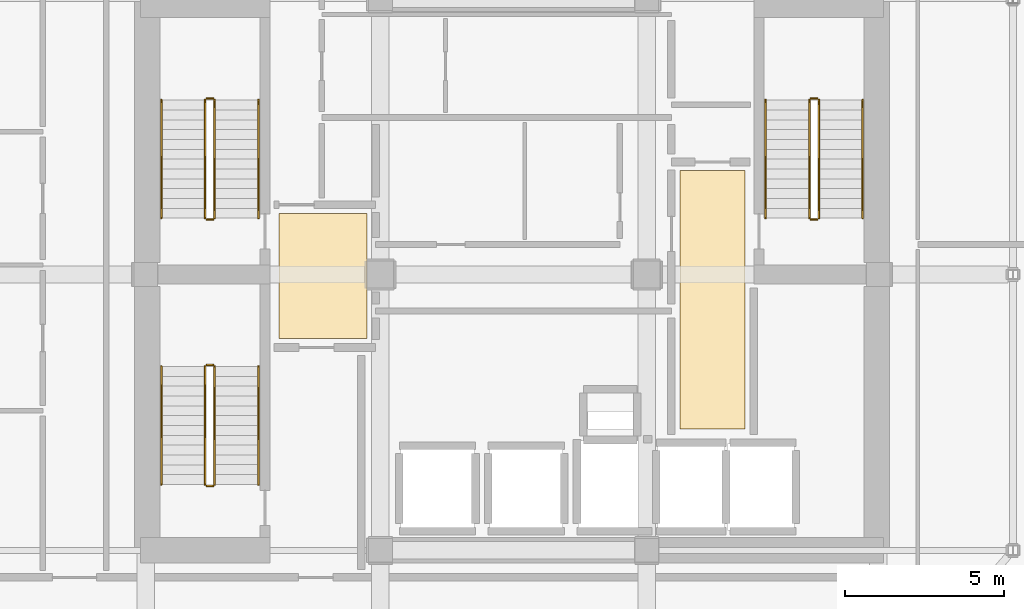
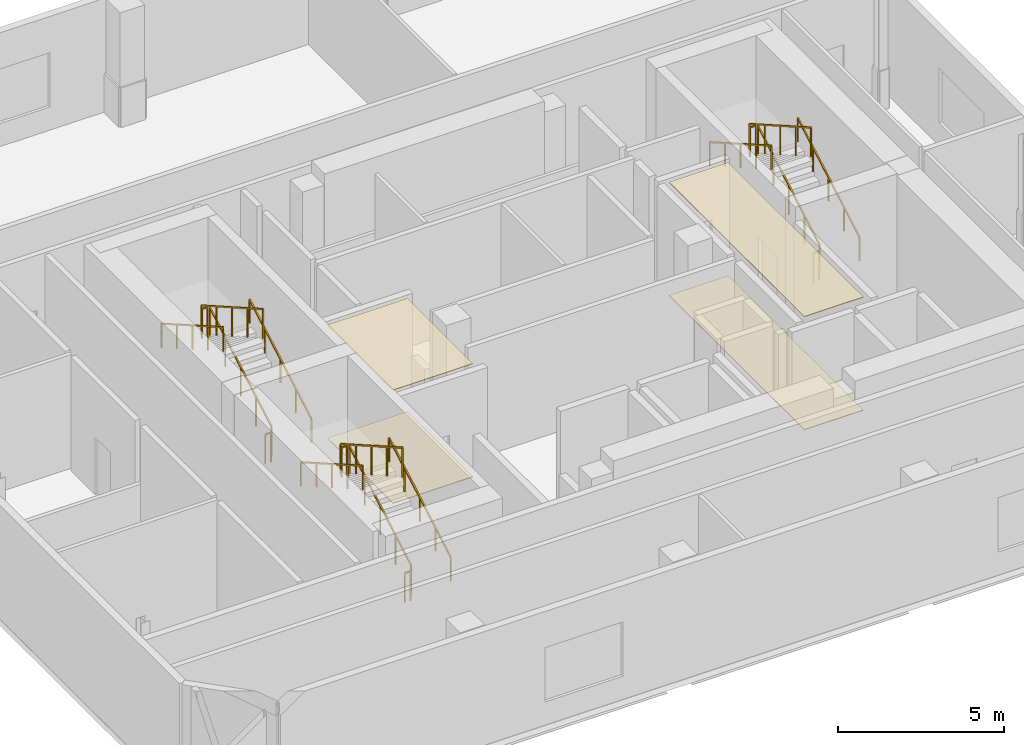
# One storey, part 9 of 9: 18 railings, 4 coverings.
"""IFC4 building model written with IfcOpenShell, lengths in metres."""

from ifc_helpers import new_model, si_unit, direction, frame, origin, origin_2d, place, context, subcontext, project, spatial, polyline, rectangle, outline, extrude, material, layer, layer_set, type_object, element, save


model = new_model("IFC4")

# Units and contexts
model_context = context("Model", 3, precision=1e-05, world=origin(), true_north=direction((0.0, 1.0)))
body_context = subcontext(model_context, "Body", "Model", "MODEL_VIEW")
ifc_project = project(units=[si_unit("LENGTHUNIT", "METRE"), si_unit("AREAUNIT", "SQUARE_METRE"), si_unit("VOLUMEUNIT", "CUBIC_METRE"), si_unit("PLANEANGLEUNIT", "RADIAN"), si_unit("MASSUNIT", "GRAM", prefix="KILO")], contexts=[model_context])

# Site, building, storey
site_placement = place(None, origin())
site = spatial("IfcSite", under=ifc_project, at=site_placement, CompositionType="ELEMENT")
building_placement = place(site_placement, origin())
building = spatial("IfcBuilding", under=site, at=building_placement, Name="Solanera Arch Residences", CompositionType="ELEMENT")
storey_placement = place(building_placement, frame((0.0, 0.0, 273.47998046875)))
storey = spatial("IfcBuildingStorey", under=building, at=storey_placement, Name="L79", CompositionType="ELEMENT", Elevation=273.47998046875)

# Coverings
ifc_material_1 = material(Name="Porcelain Acoustic Floor Tile", Category="ceramic")
ifc_layer_1 = layer(ifc_material_1, 0.02001953125)
ifc_layer_set_1 = layer_set([ifc_layer_1], Name="Porcelain Acoustic Floor Tile")
covering_type_1 = type_object("IfcCoveringType", Name="Porcelain Acoustic Floor Finish FLR-20", PredefinedType="FLOORING", material=ifc_layer_set_1)
covering_1_placement = place(storey_placement, origin())
element("IfcCovering", 1, at=covering_1_placement, inside=storey, type_object=covering_type_1, Name="L79-FFL-W Porcelain Floor Finish", PredefinedType="FLOORING", context=body_context, shape_type="SweptSolid", body=[
    extrude(outline(polyline([(20.375, 28.675048828125), (17.594970703125, 28.675048828125), (17.594970703125, 32.625), (20.375, 32.625), (20.375, 28.675048828125)])), origin(), (0.0, 0.0, 1.0), 0.02001953125),
])
covering_2_placement = place(storey_placement, origin())
element("IfcCovering", 2, at=covering_2_placement, inside=storey, type_object=covering_type_1, Name="L79-FFL-E Porcelain Floor Finish", PredefinedType="FLOORING", context=body_context, shape_type="SweptSolid", body=[
    extrude(outline(polyline([(32.304931640625, 25.824951171875), (30.25, 25.824951171875), (30.25, 33.97509765625), (32.304931640625, 33.97509765625), (32.304931640625, 25.824951171875)])), origin(), (0.0, 0.0, 1.0), 0.02001953125),
])

# Railings
ifc_material_2 = material(Name="Steel S355 (ASTM A992 / A572 Grade 50)", Category="steel")
railing_type_1 = type_object("IfcRailingType", Name="Stair Guardrail GR-1100", PredefinedType="GUARDRAIL", material=ifc_material_2)
railing_1_placement = place(storey_placement, frame((15.570068359375, 32.47998046875, 0.161865234375)))
element("IfcRailing", 3, at=railing_1_placement, inside=storey, type_object=railing_type_1, Name="L79 ST-T1 stair guard 1", PredefinedType="GUARDRAIL", context=body_context, shape_type="SweptSolid", body=[
    extrude(rectangle(XDim=0.048095703125, YDim=0.048095703125, at=origin_2d()), frame((0.0, 0.0, 1.076171875), z_axis=(0.0, 0.868509601589, 0.495672343336), x_axis=(-1.0, 0.0, 0.0)), (0.0, 0.0, 1.0), 4.283203125),
    extrude(rectangle(XDim=0.0419921875, YDim=0.0419921875, at=origin_2d()), origin(), (0.0, 0.0, 1.0), 1.052001953125),
    extrude(rectangle(XDim=0.0419921875, YDim=0.0419921875, at=origin_2d()), frame((0.0, 0.929931640625, 0.53076171875)), (0.0, 0.0, 1.0), 1.052001953125),
    extrude(rectangle(XDim=0.0419921875, YDim=0.0419921875, at=origin_2d()), frame((0.0, 1.85986328125, 1.0615234375)), (0.0, 0.0, 1.0), 1.052001953125),
    extrude(rectangle(XDim=0.0419921875, YDim=0.0419921875, at=origin_2d()), frame((0.0, 2.7900390625, 1.59228515625)), (0.0, 0.0, 1.0), 1.052001953125),
    extrude(rectangle(XDim=0.0419921875, YDim=0.0419921875, at=origin_2d()), frame((0.0, 3.719970703125, 2.123046875)), (0.0, 0.0, 1.0), 1.052001953125),
])
railing_2_placement = place(storey_placement, frame((15.52001953125, 36.25, 2.284912109375)))
element("IfcRailing", 4, at=railing_2_placement, inside=storey, type_object=railing_type_1, Name="L79 ST-T1 stair guard 2", PredefinedType="GUARDRAIL", context=body_context, shape_type="SweptSolid", body=[
    extrude(rectangle(XDim=0.048095703125, YDim=0.048095703125, at=origin_2d()), frame((0.0, 0.0, 1.076171875), z_axis=(-1.0, 0.0, 0.0), x_axis=(0.0, -1.0, 0.0)), (0.0, 0.0, 1.0), 0.199951171875),
    extrude(rectangle(XDim=0.0419921875, YDim=0.0419921875, at=origin_2d()), origin(), (0.0, 0.0, 1.0), 1.052001953125),
    extrude(rectangle(XDim=0.0419921875, YDim=0.0419921875, at=origin_2d()), frame((-0.199951171875, 0.0, 0.0)), (0.0, 0.0, 1.0), 1.052001953125),
])
railing_3_placement = place(storey_placement, frame((15.27001953125, 36.199951171875, 2.4619140625)))
element("IfcRailing", 5, at=railing_3_placement, inside=storey, type_object=railing_type_1, Name="L79 ST-T1 stair guard 3", PredefinedType="GUARDRAIL", context=body_context, shape_type="SweptSolid", body=[
    extrude(rectangle(XDim=0.048095703125, YDim=0.048095703125, at=origin_2d()), frame((0.0, 0.0, 1.076171875), z_axis=(0.0, -0.868509601589, 0.495672343336), x_axis=(1.0, 0.0, 0.0)), (0.0, 0.0, 1.0), 4.283203125),
    extrude(rectangle(XDim=0.0419921875, YDim=0.0419921875, at=origin_2d()), origin(), (0.0, 0.0, 1.0), 1.052001953125),
    extrude(rectangle(XDim=0.0419921875, YDim=0.0419921875, at=origin_2d()), frame((0.0, -0.929931640625, 0.53076171875)), (0.0, 0.0, 1.0), 1.052001953125),
    extrude(rectangle(XDim=0.0419921875, YDim=0.0419921875, at=origin_2d()), frame((0.0, -1.85986328125, 1.0615234375)), (0.0, 0.0, 1.0), 1.052001953125),
    extrude(rectangle(XDim=0.0419921875, YDim=0.0419921875, at=origin_2d()), frame((0.0, -2.7900390625, 1.59228515625)), (0.0, 0.0, 1.0), 1.052001953125),
    extrude(rectangle(XDim=0.0419921875, YDim=0.0419921875, at=origin_2d()), frame((0.0, -3.719970703125, 2.123046875)), (0.0, 0.0, 1.0), 1.052001953125),
])
railing_4_placement = place(storey_placement, frame((15.52001953125, 32.429931640625, -0.014892578125)))
element("IfcRailing", 6, at=railing_4_placement, inside=storey, type_object=railing_type_1, Name="L79 ST-T1 stair guard 4", PredefinedType="GUARDRAIL", context=body_context, shape_type="SweptSolid", body=[
    extrude(rectangle(XDim=0.048095703125, YDim=0.048095703125, at=origin_2d()), frame((0.0, 0.0, 1.076171875), z_axis=(-1.0, 0.0, 0.0), x_axis=(0.0, -1.0, 0.0)), (0.0, 0.0, 1.0), 0.199951171875),
    extrude(rectangle(XDim=0.0419921875, YDim=0.0419921875, at=origin_2d()), origin(), (0.0, 0.0, 1.0), 1.052001953125),
    extrude(rectangle(XDim=0.0419921875, YDim=0.0419921875, at=origin_2d()), frame((-0.199951171875, 0.0, 0.0)), (0.0, 0.0, 1.0), 1.052001953125),
])
railing_5_placement = place(storey_placement, frame((34.6298828125, 32.47998046875, 0.161865234375)))
element("IfcRailing", 7, at=railing_5_placement, inside=storey, type_object=railing_type_1, Name="L79 ST-T2 stair guard 1", PredefinedType="GUARDRAIL", context=body_context, shape_type="SweptSolid", body=[
    extrude(rectangle(XDim=0.048095703125, YDim=0.048095703125, at=origin_2d()), frame((0.0, 0.0, 1.076171875), z_axis=(0.0, 0.868509601589, 0.495672343336), x_axis=(-1.0, 0.0, 0.0)), (0.0, 0.0, 1.0), 4.283203125),
    extrude(rectangle(XDim=0.0419921875, YDim=0.0419921875, at=origin_2d()), origin(), (0.0, 0.0, 1.0), 1.052001953125),
    extrude(rectangle(XDim=0.0419921875, YDim=0.0419921875, at=origin_2d()), frame((0.0, 0.929931640625, 0.53076171875)), (0.0, 0.0, 1.0), 1.052001953125),
    extrude(rectangle(XDim=0.0419921875, YDim=0.0419921875, at=origin_2d()), frame((0.0, 1.85986328125, 1.0615234375)), (0.0, 0.0, 1.0), 1.052001953125),
    extrude(rectangle(XDim=0.0419921875, YDim=0.0419921875, at=origin_2d()), frame((0.0, 2.7900390625, 1.59228515625)), (0.0, 0.0, 1.0), 1.052001953125),
    extrude(rectangle(XDim=0.0419921875, YDim=0.0419921875, at=origin_2d()), frame((0.0, 3.719970703125, 2.123046875)), (0.0, 0.0, 1.0), 1.052001953125),
])
railing_6_placement = place(storey_placement, frame((34.580078125, 36.25, 2.284912109375)))
element("IfcRailing", 8, at=railing_6_placement, inside=storey, type_object=railing_type_1, Name="L79 ST-T2 stair guard 2", PredefinedType="GUARDRAIL", context=body_context, shape_type="SweptSolid", body=[
    extrude(rectangle(XDim=0.048095703125, YDim=0.048095703125, at=origin_2d()), frame((0.0, 0.0, 1.076171875), z_axis=(-1.0, 0.0, 0.0), x_axis=(0.0, -1.0, 0.0)), (0.0, 0.0, 1.0), 0.2001953125),
    extrude(rectangle(XDim=0.0419921875, YDim=0.0419921875, at=origin_2d()), origin(), (0.0, 0.0, 1.0), 1.052001953125),
    extrude(rectangle(XDim=0.0419921875, YDim=0.0419921875, at=origin_2d()), frame((-0.2001953125, 0.0, 0.0)), (0.0, 0.0, 1.0), 1.052001953125),
])
railing_7_placement = place(storey_placement, frame((34.330078125, 36.199951171875, 2.4619140625)))
element("IfcRailing", 9, at=railing_7_placement, inside=storey, type_object=railing_type_1, Name="L79 ST-T2 stair guard 3", PredefinedType="GUARDRAIL", context=body_context, shape_type="SweptSolid", body=[
    extrude(rectangle(XDim=0.048095703125, YDim=0.048095703125, at=origin_2d()), frame((0.0, 0.0, 1.076171875), z_axis=(0.0, -0.868509601589, 0.495672343336), x_axis=(1.0, 0.0, 0.0)), (0.0, 0.0, 1.0), 4.283203125),
    extrude(rectangle(XDim=0.0419921875, YDim=0.0419921875, at=origin_2d()), origin(), (0.0, 0.0, 1.0), 1.052001953125),
    extrude(rectangle(XDim=0.0419921875, YDim=0.0419921875, at=origin_2d()), frame((0.0, -0.929931640625, 0.53076171875)), (0.0, 0.0, 1.0), 1.052001953125),
    extrude(rectangle(XDim=0.0419921875, YDim=0.0419921875, at=origin_2d()), frame((0.0, -1.85986328125, 1.0615234375)), (0.0, 0.0, 1.0), 1.052001953125),
    extrude(rectangle(XDim=0.0419921875, YDim=0.0419921875, at=origin_2d()), frame((0.0, -2.7900390625, 1.59228515625)), (0.0, 0.0, 1.0), 1.052001953125),
    extrude(rectangle(XDim=0.0419921875, YDim=0.0419921875, at=origin_2d()), frame((0.0, -3.719970703125, 2.123046875)), (0.0, 0.0, 1.0), 1.052001953125),
])
railing_8_placement = place(storey_placement, frame((34.580078125, 32.429931640625, -0.014892578125)))
element("IfcRailing", 10, at=railing_8_placement, inside=storey, type_object=railing_type_1, Name="L79 ST-T2 stair guard 4", PredefinedType="GUARDRAIL", context=body_context, shape_type="SweptSolid", body=[
    extrude(rectangle(XDim=0.048095703125, YDim=0.048095703125, at=origin_2d()), frame((0.0, 0.0, 1.076171875), z_axis=(-1.0, 0.0, 0.0), x_axis=(0.0, -1.0, 0.0)), (0.0, 0.0, 1.0), 0.2001953125),
    extrude(rectangle(XDim=0.0419921875, YDim=0.0419921875, at=origin_2d()), origin(), (0.0, 0.0, 1.0), 1.052001953125),
    extrude(rectangle(XDim=0.0419921875, YDim=0.0419921875, at=origin_2d()), frame((-0.2001953125, 0.0, 0.0)), (0.0, 0.0, 1.0), 1.052001953125),
])
railing_9_placement = place(storey_placement, frame((15.570068359375, 24.080078125, 0.161865234375)))
element("IfcRailing", 11, at=railing_9_placement, inside=storey, type_object=railing_type_1, Name="L79 ST-T3 stair guard 1", PredefinedType="GUARDRAIL", context=body_context, shape_type="SweptSolid", body=[
    extrude(rectangle(XDim=0.048095703125, YDim=0.048095703125, at=origin_2d()), frame((0.0, 0.0, 1.076171875), z_axis=(0.0, 0.868509601589, 0.495672343336), x_axis=(-1.0, 0.0, 0.0)), (0.0, 0.0, 1.0), 4.283203125),
    extrude(rectangle(XDim=0.0419921875, YDim=0.0419921875, at=origin_2d()), origin(), (0.0, 0.0, 1.0), 1.052001953125),
    extrude(rectangle(XDim=0.0419921875, YDim=0.0419921875, at=origin_2d()), frame((0.0, 0.929931640625, 0.53076171875)), (0.0, 0.0, 1.0), 1.052001953125),
    extrude(rectangle(XDim=0.0419921875, YDim=0.0419921875, at=origin_2d()), frame((0.0, 1.85986328125, 1.0615234375)), (0.0, 0.0, 1.0), 1.052001953125),
    extrude(rectangle(XDim=0.0419921875, YDim=0.0419921875, at=origin_2d()), frame((0.0, 2.7900390625, 1.59228515625)), (0.0, 0.0, 1.0), 1.052001953125),
    extrude(rectangle(XDim=0.0419921875, YDim=0.0419921875, at=origin_2d()), frame((0.0, 3.719970703125, 2.123046875)), (0.0, 0.0, 1.0), 1.052001953125),
])
railing_10_placement = place(storey_placement, frame((15.52001953125, 27.85009765625, 2.284912109375)))
element("IfcRailing", 12, at=railing_10_placement, inside=storey, type_object=railing_type_1, Name="L79 ST-T3 stair guard 2", PredefinedType="GUARDRAIL", context=body_context, shape_type="SweptSolid", body=[
    extrude(rectangle(XDim=0.048095703125, YDim=0.048095703125, at=origin_2d()), frame((0.0, 0.0, 1.076171875), z_axis=(-1.0, 0.0, 0.0), x_axis=(0.0, -1.0, 0.0)), (0.0, 0.0, 1.0), 0.199951171875),
    extrude(rectangle(XDim=0.0419921875, YDim=0.0419921875, at=origin_2d()), origin(), (0.0, 0.0, 1.0), 1.052001953125),
    extrude(rectangle(XDim=0.0419921875, YDim=0.0419921875, at=origin_2d()), frame((-0.199951171875, 0.0, 0.0)), (0.0, 0.0, 1.0), 1.052001953125),
])
railing_11_placement = place(storey_placement, frame((15.27001953125, 27.800048828125, 2.4619140625)))
element("IfcRailing", 13, at=railing_11_placement, inside=storey, type_object=railing_type_1, Name="L79 ST-T3 stair guard 3", PredefinedType="GUARDRAIL", context=body_context, shape_type="SweptSolid", body=[
    extrude(rectangle(XDim=0.048095703125, YDim=0.048095703125, at=origin_2d()), frame((0.0, 0.0, 1.076171875), z_axis=(0.0, -0.868509601589, 0.495672343336), x_axis=(1.0, 0.0, 0.0)), (0.0, 0.0, 1.0), 4.283203125),
    extrude(rectangle(XDim=0.0419921875, YDim=0.0419921875, at=origin_2d()), origin(), (0.0, 0.0, 1.0), 1.052001953125),
    extrude(rectangle(XDim=0.0419921875, YDim=0.0419921875, at=origin_2d()), frame((0.0, -0.929931640625, 0.53076171875)), (0.0, 0.0, 1.0), 1.052001953125),
    extrude(rectangle(XDim=0.0419921875, YDim=0.0419921875, at=origin_2d()), frame((0.0, -1.85986328125, 1.0615234375)), (0.0, 0.0, 1.0), 1.052001953125),
    extrude(rectangle(XDim=0.0419921875, YDim=0.0419921875, at=origin_2d()), frame((0.0, -2.7900390625, 1.59228515625)), (0.0, 0.0, 1.0), 1.052001953125),
    extrude(rectangle(XDim=0.0419921875, YDim=0.0419921875, at=origin_2d()), frame((0.0, -3.719970703125, 2.123046875)), (0.0, 0.0, 1.0), 1.052001953125),
])
railing_12_placement = place(storey_placement, frame((15.52001953125, 24.030029296875, -0.014892578125)))
element("IfcRailing", 14, at=railing_12_placement, inside=storey, type_object=railing_type_1, Name="L79 ST-T3 stair guard 4", PredefinedType="GUARDRAIL", context=body_context, shape_type="SweptSolid", body=[
    extrude(rectangle(XDim=0.048095703125, YDim=0.048095703125, at=origin_2d()), frame((0.0, 0.0, 1.076171875), z_axis=(-1.0, 0.0, 0.0), x_axis=(0.0, -1.0, 0.0)), (0.0, 0.0, 1.0), 0.199951171875),
    extrude(rectangle(XDim=0.0419921875, YDim=0.0419921875, at=origin_2d()), origin(), (0.0, 0.0, 1.0), 1.052001953125),
    extrude(rectangle(XDim=0.0419921875, YDim=0.0419921875, at=origin_2d()), frame((-0.199951171875, 0.0, 0.0)), (0.0, 0.0, 1.0), 1.052001953125),
])
ifc_material_3 = material(Name="Steel S355 (ASTM A992 / A572 Grade 50)", Category="steel")
railing_type_2 = type_object("IfcRailingType", Name="Stair Wall Handrail HR-920", PredefinedType="HANDRAIL", material=ifc_material_3)
railing_13_placement = place(storey_placement, frame((16.949951171875, 32.47998046875, 0.177001953125)))
element("IfcRailing", 15, at=railing_13_placement, inside=storey, type_object=railing_type_2, Name="L79 ST-T1 stair handrail 1", PredefinedType="HANDRAIL", context=body_context, shape_type="SweptSolid", body=[
    extrude(rectangle(XDim=0.048095703125, YDim=0.048095703125, at=origin_2d()), frame((0.0, 0.0, 0.8759765625), z_axis=(0.0, 0.868509601589, 0.495672343336), x_axis=(-1.0, 0.0, 0.0)), (0.0, 0.0, 1.0), 4.283203125),
    extrude(rectangle(XDim=0.0419921875, YDim=0.0419921875, at=origin_2d()), origin(), (0.0, 0.0, 1.0), 0.851806640625),
    extrude(rectangle(XDim=0.0419921875, YDim=0.0419921875, at=origin_2d()), frame((0.0, 0.929931640625, 0.53076171875)), (0.0, 0.0, 1.0), 0.851806640625),
    extrude(rectangle(XDim=0.0419921875, YDim=0.0419921875, at=origin_2d()), frame((0.0, 1.85986328125, 1.0615234375)), (0.0, 0.0, 1.0), 0.851806640625),
    extrude(rectangle(XDim=0.0419921875, YDim=0.0419921875, at=origin_2d()), frame((0.0, 2.7900390625, 1.59228515625)), (0.0, 0.0, 1.0), 0.851806640625),
    extrude(rectangle(XDim=0.0419921875, YDim=0.0419921875, at=origin_2d()), frame((0.0, 3.719970703125, 2.123046875)), (0.0, 0.0, 1.0), 0.851806640625),
])
railing_14_placement = place(storey_placement, frame((13.889892578125, 36.199951171875, 2.47705078125)))
element("IfcRailing", 16, at=railing_14_placement, inside=storey, type_object=railing_type_2, Name="L79 ST-T1 stair handrail 2", PredefinedType="HANDRAIL", context=body_context, shape_type="SweptSolid", body=[
    extrude(rectangle(XDim=0.048095703125, YDim=0.048095703125, at=origin_2d()), frame((0.0, 0.0, 0.8759765625), z_axis=(0.0, -0.868509601589, 0.495672343336), x_axis=(1.0, 0.0, 0.0)), (0.0, 0.0, 1.0), 4.283203125),
    extrude(rectangle(XDim=0.0419921875, YDim=0.0419921875, at=origin_2d()), origin(), (0.0, 0.0, 1.0), 0.851806640625),
    extrude(rectangle(XDim=0.0419921875, YDim=0.0419921875, at=origin_2d()), frame((0.0, -0.929931640625, 0.53076171875)), (0.0, 0.0, 1.0), 0.851806640625),
    extrude(rectangle(XDim=0.0419921875, YDim=0.0419921875, at=origin_2d()), frame((0.0, -1.85986328125, 1.0615234375)), (0.0, 0.0, 1.0), 0.851806640625),
    extrude(rectangle(XDim=0.0419921875, YDim=0.0419921875, at=origin_2d()), frame((0.0, -2.7900390625, 1.59228515625)), (0.0, 0.0, 1.0), 0.851806640625),
    extrude(rectangle(XDim=0.0419921875, YDim=0.0419921875, at=origin_2d()), frame((0.0, -3.719970703125, 2.123046875)), (0.0, 0.0, 1.0), 0.851806640625),
])
railing_15_placement = place(storey_placement, frame((36.010009765625, 32.47998046875, 0.177001953125)))
element("IfcRailing", 17, at=railing_15_placement, inside=storey, type_object=railing_type_2, Name="L79 ST-T2 stair handrail 1", PredefinedType="HANDRAIL", context=body_context, shape_type="SweptSolid", body=[
    extrude(rectangle(XDim=0.048095703125, YDim=0.048095703125, at=origin_2d()), frame((0.0, 0.0, 0.8759765625), z_axis=(0.0, 0.868509601589, 0.495672343336), x_axis=(-1.0, 0.0, 0.0)), (0.0, 0.0, 1.0), 4.283203125),
    extrude(rectangle(XDim=0.0419921875, YDim=0.0419921875, at=origin_2d()), origin(), (0.0, 0.0, 1.0), 0.851806640625),
    extrude(rectangle(XDim=0.0419921875, YDim=0.0419921875, at=origin_2d()), frame((0.0, 0.929931640625, 0.53076171875)), (0.0, 0.0, 1.0), 0.851806640625),
    extrude(rectangle(XDim=0.0419921875, YDim=0.0419921875, at=origin_2d()), frame((0.0, 1.85986328125, 1.0615234375)), (0.0, 0.0, 1.0), 0.851806640625),
    extrude(rectangle(XDim=0.0419921875, YDim=0.0419921875, at=origin_2d()), frame((0.0, 2.7900390625, 1.59228515625)), (0.0, 0.0, 1.0), 0.851806640625),
    extrude(rectangle(XDim=0.0419921875, YDim=0.0419921875, at=origin_2d()), frame((0.0, 3.719970703125, 2.123046875)), (0.0, 0.0, 1.0), 0.851806640625),
])
railing_16_placement = place(storey_placement, frame((32.949951171875, 36.199951171875, 2.47705078125)))
element("IfcRailing", 18, at=railing_16_placement, inside=storey, type_object=railing_type_2, Name="L79 ST-T2 stair handrail 2", PredefinedType="HANDRAIL", context=body_context, shape_type="SweptSolid", body=[
    extrude(rectangle(XDim=0.048095703125, YDim=0.048095703125, at=origin_2d()), frame((0.0, 0.0, 0.8759765625), z_axis=(0.0, -0.868509601589, 0.495672343336), x_axis=(1.0, 0.0, 0.0)), (0.0, 0.0, 1.0), 4.283203125),
    extrude(rectangle(XDim=0.0419921875, YDim=0.0419921875, at=origin_2d()), origin(), (0.0, 0.0, 1.0), 0.851806640625),
    extrude(rectangle(XDim=0.0419921875, YDim=0.0419921875, at=origin_2d()), frame((0.0, -0.929931640625, 0.53076171875)), (0.0, 0.0, 1.0), 0.851806640625),
    extrude(rectangle(XDim=0.0419921875, YDim=0.0419921875, at=origin_2d()), frame((0.0, -1.85986328125, 1.0615234375)), (0.0, 0.0, 1.0), 0.851806640625),
    extrude(rectangle(XDim=0.0419921875, YDim=0.0419921875, at=origin_2d()), frame((0.0, -2.7900390625, 1.59228515625)), (0.0, 0.0, 1.0), 0.851806640625),
    extrude(rectangle(XDim=0.0419921875, YDim=0.0419921875, at=origin_2d()), frame((0.0, -3.719970703125, 2.123046875)), (0.0, 0.0, 1.0), 0.851806640625),
])
railing_17_placement = place(storey_placement, frame((16.949951171875, 24.080078125, 0.177001953125)))
element("IfcRailing", 19, at=railing_17_placement, inside=storey, type_object=railing_type_2, Name="L79 ST-T3 stair handrail 1", PredefinedType="HANDRAIL", context=body_context, shape_type="SweptSolid", body=[
    extrude(rectangle(XDim=0.048095703125, YDim=0.048095703125, at=origin_2d()), frame((0.0, 0.0, 0.8759765625), z_axis=(0.0, 0.868509601589, 0.495672343336), x_axis=(-1.0, 0.0, 0.0)), (0.0, 0.0, 1.0), 4.283203125),
    extrude(rectangle(XDim=0.0419921875, YDim=0.0419921875, at=origin_2d()), origin(), (0.0, 0.0, 1.0), 0.851806640625),
    extrude(rectangle(XDim=0.0419921875, YDim=0.0419921875, at=origin_2d()), frame((0.0, 0.929931640625, 0.53076171875)), (0.0, 0.0, 1.0), 0.851806640625),
    extrude(rectangle(XDim=0.0419921875, YDim=0.0419921875, at=origin_2d()), frame((0.0, 1.85986328125, 1.0615234375)), (0.0, 0.0, 1.0), 0.851806640625),
    extrude(rectangle(XDim=0.0419921875, YDim=0.0419921875, at=origin_2d()), frame((0.0, 2.7900390625, 1.59228515625)), (0.0, 0.0, 1.0), 0.851806640625),
    extrude(rectangle(XDim=0.0419921875, YDim=0.0419921875, at=origin_2d()), frame((0.0, 3.719970703125, 2.123046875)), (0.0, 0.0, 1.0), 0.851806640625),
])
railing_18_placement = place(storey_placement, frame((13.889892578125, 27.800048828125, 2.47705078125)))
element("IfcRailing", 20, at=railing_18_placement, inside=storey, type_object=railing_type_2, Name="L79 ST-T3 stair handrail 2", PredefinedType="HANDRAIL", context=body_context, shape_type="SweptSolid", body=[
    extrude(rectangle(XDim=0.048095703125, YDim=0.048095703125, at=origin_2d()), frame((0.0, 0.0, 0.8759765625), z_axis=(0.0, -0.868509601589, 0.495672343336), x_axis=(1.0, 0.0, 0.0)), (0.0, 0.0, 1.0), 4.283203125),
    extrude(rectangle(XDim=0.0419921875, YDim=0.0419921875, at=origin_2d()), origin(), (0.0, 0.0, 1.0), 0.851806640625),
    extrude(rectangle(XDim=0.0419921875, YDim=0.0419921875, at=origin_2d()), frame((0.0, -0.929931640625, 0.53076171875)), (0.0, 0.0, 1.0), 0.851806640625),
    extrude(rectangle(XDim=0.0419921875, YDim=0.0419921875, at=origin_2d()), frame((0.0, -1.85986328125, 1.0615234375)), (0.0, 0.0, 1.0), 0.851806640625),
    extrude(rectangle(XDim=0.0419921875, YDim=0.0419921875, at=origin_2d()), frame((0.0, -2.7900390625, 1.59228515625)), (0.0, 0.0, 1.0), 0.851806640625),
    extrude(rectangle(XDim=0.0419921875, YDim=0.0419921875, at=origin_2d()), frame((0.0, -3.719970703125, 2.123046875)), (0.0, 0.0, 1.0), 0.851806640625),
])

# Coverings
ifc_material_4 = material(Name="Mineral Fibre Acoustic Ceiling Board", Category="gypsum")
ifc_layer_2 = layer(ifc_material_4, 0.02490234375)
ifc_layer_set_2 = layer_set([ifc_layer_2], Name="Mineral Fibre Acoustic Ceiling Board")
covering_type_2 = type_object("IfcCoveringType", Name="Suspended Acoustic Ceiling Board CLG-25", PredefinedType="CEILING", material=ifc_layer_set_2)
covering_3_placement = place(storey_placement, frame((0.0, 0.0, 4.155029296875)))
element("IfcCovering", 21, at=covering_3_placement, inside=storey, type_object=covering_type_2, Name="L79-FFL-W Acoustic Ceiling", PredefinedType="CEILING", context=body_context, shape_type="SweptSolid", body=[
    extrude(outline(polyline([(20.375, 28.675048828125), (17.594970703125, 28.675048828125), (17.594970703125, 32.625), (20.375, 32.625), (20.375, 28.675048828125)])), origin(), (0.0, 0.0, 1.0), 0.02490234375),
])
covering_4_placement = place(storey_placement, frame((0.0, 0.0, 4.155029296875)))
element("IfcCovering", 22, at=covering_4_placement, inside=storey, type_object=covering_type_2, Name="L79-FFL-E Acoustic Ceiling", PredefinedType="CEILING", context=body_context, shape_type="SweptSolid", body=[
    extrude(outline(polyline([(32.304931640625, 25.824951171875), (30.25, 25.824951171875), (30.25, 33.97509765625), (32.304931640625, 33.97509765625), (32.304931640625, 25.824951171875)])), origin(), (0.0, 0.0, 1.0), 0.02490234375),
])

save(model, "model.ifc")
